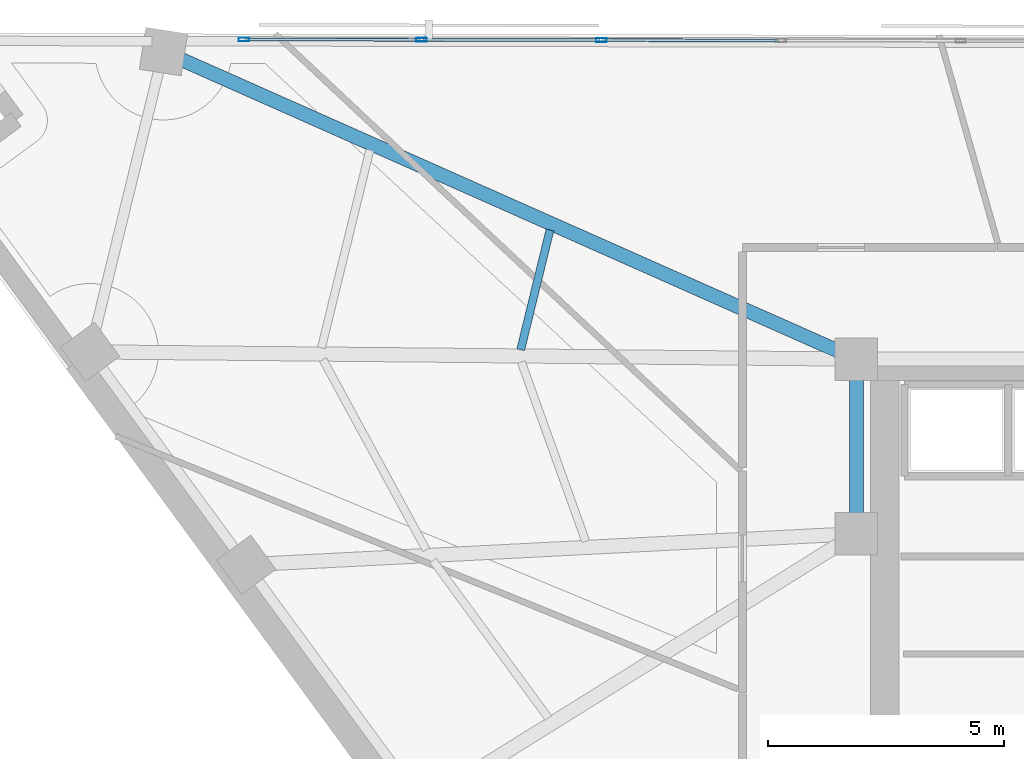
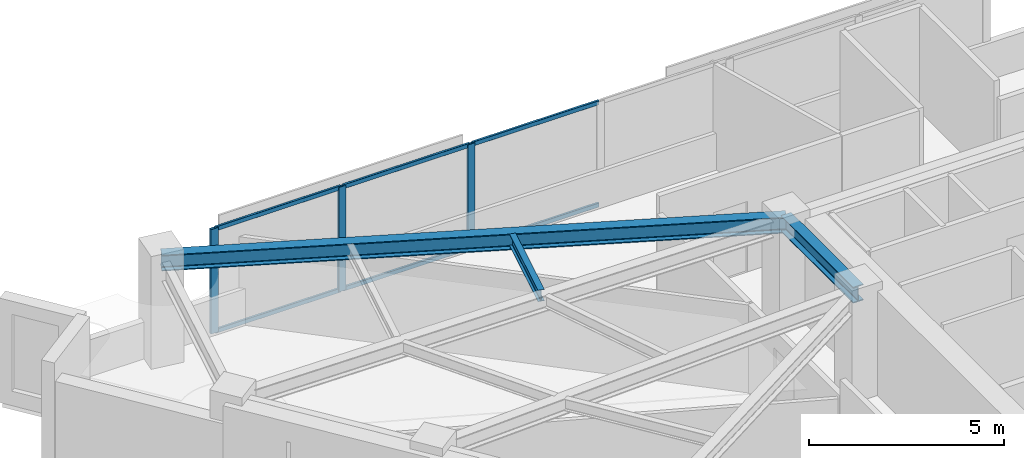
# One storey, part 2 of 13: 9 members, 3 beams, 1 element without a shape of its own.
"""IFC4 building model written with IfcOpenShell, lengths in metres."""

from ifc_helpers import new_model, si_unit, direction, frame, origin, origin_2d, place, context, subcontext, project, spatial, hollow_rectangle, i_section, extrude, material, material_profile, profile_set, type_object, element, aggregate, save


model = new_model("IFC4")

# Units and contexts
model_context = context("Model", 3, precision=1e-05, world=origin(), true_north=direction((0.0, 1.0)))
body_context = subcontext(model_context, "Body", "Model", "MODEL_VIEW")
ifc_project = project(units=[si_unit("LENGTHUNIT", "METRE"), si_unit("AREAUNIT", "SQUARE_METRE"), si_unit("VOLUMEUNIT", "CUBIC_METRE"), si_unit("PLANEANGLEUNIT", "RADIAN"), si_unit("MASSUNIT", "GRAM", prefix="KILO")], contexts=[model_context])

# Site, building, storey
site_placement = place(None, origin())
site = spatial("IfcSite", under=ifc_project, at=site_placement, CompositionType="ELEMENT")
building_placement = place(site_placement, origin())
building = spatial("IfcBuilding", under=site, at=building_placement, Name="Narakoshi Arena Tower", CompositionType="ELEMENT")
storey_placement = place(building_placement, frame((0.0, 0.0, 246.659912109375)))
storey = spatial("IfcBuildingStorey", under=building, at=storey_placement, Name="L67", CompositionType="ELEMENT", Elevation=246.659912109375)

# Beams
ifc_material_1 = material(Name="Structural steel S355J2", Category="steel")
ifc_material_profile_1 = material_profile(ifc_material_1, i_section(OverallWidth=0.300048828125, OverallDepth=0.5, WebThickness=0.014404296875, FlangeThickness=0.028076171875, FilletRadius=0.027099609375, at=origin_2d()), Name="HE500B")
ifc_profile_set_1 = profile_set([ifc_material_profile_1], Name="Structural steel S355J2")
beam_type_1 = type_object("IfcBeamType", Name="BM-PRI-500", PredefinedType="BEAM", material=ifc_profile_set_1)
beam_1_placement = place(storey_placement, frame((72.0, 56.5, 3.010009765625), z_axis=(-0.914014379094, 0.405681790089, 0.0), x_axis=(-0.405681790089, -0.914014379094, 0.0)))
element("IfcBeam", 1, at=beam_1_placement, inside=storey, type_object=beam_type_1, Name="L67 Radial Primary Floor Girder 08", PredefinedType="BEAM", context=body_context, shape_type="SweptSolid", body=[
    extrude(i_section(OverallWidth=0.300048828125, OverallDepth=0.5, WebThickness=0.014404296875, FlangeThickness=0.028076171875, FilletRadius=0.027099609375, at=origin_2d()), origin(), (0.0, 0.0, 1.0), 16.072998046875),
])
beam_2_placement = place(storey_placement, frame((72.0, 52.800048828125, 3.010009765625), z_axis=(0.0, 1.0, 0.0), x_axis=(-1.0, 0.0, 0.0)))
element("IfcBeam", 2, at=beam_2_placement, inside=storey, type_object=beam_type_1, Name="L67 Core Perimeter Frame Beam CC4-CC5", PredefinedType="BEAM", context=body_context, shape_type="SweptSolid", body=[
    extrude(i_section(OverallWidth=0.300048828125, OverallDepth=0.5, WebThickness=0.014404296875, FlangeThickness=0.028076171875, FilletRadius=0.027099609375, at=origin_2d()), origin(), (0.0, 0.0, 1.0), 3.699951171875),
])
ifc_material_profile_2 = material_profile(ifc_material_1, i_section(OverallWidth=0.169921875, OverallDepth=0.360107421875, WebThickness=0.008056640625, FlangeThickness=0.0126953125, FilletRadius=0.01806640625, at=origin_2d()), Name="IPE360")
ifc_profile_set_2 = profile_set([ifc_material_profile_2], Name="Structural steel S355J2")
beam_type_2 = type_object("IfcBeamType", Name="BM-SEC-360", PredefinedType="JOIST", material=ifc_profile_set_2)
beam_3_placement = place(storey_placement, frame((65.50390625, 59.23779296875, 3.080078125), z_axis=(-0.237388442465, -0.971414807064, 0.0), x_axis=(0.971414807064, -0.237388442465, 0.0)))
element("IfcBeam", 3, at=beam_3_placement, inside=storey, type_object=beam_type_2, Name="L67 Composite Secondary Floor Joist 07", PredefinedType="JOIST", context=body_context, shape_type="SweptSolid", body=[
    extrude(i_section(OverallWidth=0.169921875, OverallDepth=0.360107421875, WebThickness=0.008056640625, FlangeThickness=0.0126953125, FilletRadius=0.01806640625, at=origin_2d()), origin(), (0.0, 0.0, 1.0), 2.61328125),
])

# Curtain wall, members
ifc_material_2 = material(Name="Anodised bronze aluminium 6063-T6", Category="aluminium")
curtain_wall_type = type_object("IfcCurtainWallType", Name="CW-HYP-HIGH", PredefinedType="NOTDEFINED", material=ifc_material_2)
curtain_wall_placement = place(storey_placement, origin())
curtain_wall = element("IfcCurtainWall", 4, at=curtain_wall_placement, inside=storey, type_object=curtain_wall_type, Name="L67 Folded Hypotenuse Curtain Wall 2-1", PredefinedType="NOTDEFINED")
ifc_material_profile_3 = material_profile(ifc_material_2, hollow_rectangle(XDim=0.080078125, YDim=0.219970703125, WallThickness=0.0048828125, OuterFilletRadius=0.006103515625, at=origin_2d()), Name="MUL220x80x5")
ifc_profile_set_3 = profile_set([ifc_material_profile_3], Name="Anodised bronze aluminium 6063-T6")
member_type_1 = type_object("IfcMemberType", Name="MEM-MUL-220", PredefinedType="MULLION", material=ifc_profile_set_3)
member_1_placement = place(storey_placement, frame((66.59326171875, 63.263671875, 0.0), z_axis=(0.0, 0.0, 1.0), x_axis=(-0.001819896899, -0.999998343986, 0.0)))
member_1 = element("IfcMember", 5, at=member_1_placement, type_object=member_type_1, Name="CW-03 mullion 5", PredefinedType="MULLION", context=body_context, shape_type="SweptSolid", body=[
    extrude(hollow_rectangle(XDim=0.080078125, YDim=0.219970703125, WallThickness=0.0048828125, OuterFilletRadius=0.006103515625, at=origin_2d()), origin(), (0.0, 0.0, 1.0), 3.260009765625),
])
member_2_placement = place(storey_placement, frame((62.78369140625, 63.270751953125, 0.0), z_axis=(0.0, 0.0, 1.0), x_axis=(-0.001819896899, -0.999998343986, 0.0)))
member_2 = element("IfcMember", 6, at=member_2_placement, type_object=member_type_1, Name="CW-03 mullion 6", PredefinedType="MULLION", context=body_context, shape_type="SweptSolid", body=[
    extrude(hollow_rectangle(XDim=0.080078125, YDim=0.219970703125, WallThickness=0.0048828125, OuterFilletRadius=0.006103515625, at=origin_2d()), origin(), (0.0, 0.0, 1.0), 3.260009765625),
])
member_3_placement = place(storey_placement, frame((59.013916015625, 63.277587890625, 0.0), z_axis=(0.0, 0.0, 1.0), x_axis=(-0.001819896899, -0.999998343986, 0.0)))
member_3 = element("IfcMember", 7, at=member_3_placement, type_object=member_type_1, Name="CW-03 mullion 7", PredefinedType="MULLION", context=body_context, shape_type="SweptSolid", body=[
    extrude(hollow_rectangle(XDim=0.080078125, YDim=0.219970703125, WallThickness=0.0048828125, OuterFilletRadius=0.006103515625, at=origin_2d()), origin(), (0.0, 0.0, 1.0), 3.260009765625),
])
ifc_material_profile_4 = material_profile(ifc_material_2, hollow_rectangle(XDim=0.06494140625, YDim=0.1298828125, WallThickness=0.00390625, OuterFilletRadius=0.0048828125, at=origin_2d()), Name="TRN130x65x4")
ifc_profile_set_4 = profile_set([ifc_material_profile_4], Name="Anodised bronze aluminium 6063-T6")
member_type_2 = type_object("IfcMemberType", Name="MEM-TRN-130", PredefinedType="USERDEFINED", material=ifc_profile_set_4)
member_4_placement = place(storey_placement, frame((70.363037109375, 63.2568359375, 0.032470703125), z_axis=(-0.999998320389, 0.001832817502, 0.0), x_axis=(-0.001832817502, -0.999998320389, 0.0)))
member_4 = element("IfcMember", 8, at=member_4_placement, type_object=member_type_2, Name="CW-03 transom 4.1", ObjectType="TRANSOM", PredefinedType="USERDEFINED", context=body_context, shape_type="SweptSolid", body=[
    extrude(hollow_rectangle(XDim=0.06494140625, YDim=0.1298828125, WallThickness=0.00390625, OuterFilletRadius=0.0048828125, at=origin_2d()), origin(), (0.0, 0.0, 1.0), 3.729736328125),
])
member_5_placement = place(storey_placement, frame((70.363037109375, 63.2568359375, 3.2275390625), z_axis=(-0.999998320389, 0.001832817502, 0.0), x_axis=(-0.001832817502, -0.999998320389, 0.0)))
member_5 = element("IfcMember", 9, at=member_5_placement, type_object=member_type_2, Name="CW-03 transom 4.2", ObjectType="TRANSOM", PredefinedType="USERDEFINED", context=body_context, shape_type="SweptSolid", body=[
    extrude(hollow_rectangle(XDim=0.06494140625, YDim=0.1298828125, WallThickness=0.00390625, OuterFilletRadius=0.0048828125, at=origin_2d()), origin(), (0.0, 0.0, 1.0), 3.729736328125),
])
member_6_placement = place(storey_placement, frame((66.553466796875, 63.263916015625, 0.032470703125), z_axis=(-0.999998438218, 0.001767359942, 0.0), x_axis=(-0.001767359942, -0.999998438218, 0.0)))
member_6 = element("IfcMember", 10, at=member_6_placement, type_object=member_type_2, Name="CW-03 transom 5.1", ObjectType="TRANSOM", PredefinedType="USERDEFINED", context=body_context, shape_type="SweptSolid", body=[
    extrude(hollow_rectangle(XDim=0.06494140625, YDim=0.1298828125, WallThickness=0.00390625, OuterFilletRadius=0.0048828125, at=origin_2d()), origin(), (0.0, 0.0, 1.0), 3.729736328125),
])
member_7_placement = place(storey_placement, frame((66.553466796875, 63.263916015625, 3.2275390625), z_axis=(-0.999998438218, 0.001767359942, 0.0), x_axis=(-0.001767359942, -0.999998438218, 0.0)))
member_7 = element("IfcMember", 11, at=member_7_placement, type_object=member_type_2, Name="CW-03 transom 5.2", ObjectType="TRANSOM", PredefinedType="USERDEFINED", context=body_context, shape_type="SweptSolid", body=[
    extrude(hollow_rectangle(XDim=0.06494140625, YDim=0.1298828125, WallThickness=0.00390625, OuterFilletRadius=0.0048828125, at=origin_2d()), origin(), (0.0, 0.0, 1.0), 3.729736328125),
])
member_8_placement = place(storey_placement, frame((62.74365234375, 63.270751953125, 0.032470703125), z_axis=(-0.999998404139, 0.001786538537, 0.0), x_axis=(-0.001786538537, -0.999998404139, 0.0)))
member_8 = element("IfcMember", 12, at=member_8_placement, type_object=member_type_2, Name="CW-03 transom 6.1", ObjectType="TRANSOM", PredefinedType="USERDEFINED", context=body_context, shape_type="SweptSolid", body=[
    extrude(hollow_rectangle(XDim=0.06494140625, YDim=0.1298828125, WallThickness=0.00390625, OuterFilletRadius=0.0048828125, at=origin_2d()), origin(), (0.0, 0.0, 1.0), 3.689697265625),
])
member_9_placement = place(storey_placement, frame((62.74365234375, 63.270751953125, 3.2275390625), z_axis=(-0.999998404139, 0.001786538537, 0.0), x_axis=(-0.001786538537, -0.999998404139, 0.0)))
member_9 = element("IfcMember", 13, at=member_9_placement, type_object=member_type_2, Name="CW-03 transom 6.2", ObjectType="TRANSOM", PredefinedType="USERDEFINED", context=body_context, shape_type="SweptSolid", body=[
    extrude(hollow_rectangle(XDim=0.06494140625, YDim=0.1298828125, WallThickness=0.00390625, OuterFilletRadius=0.0048828125, at=origin_2d()), origin(), (0.0, 0.0, 1.0), 3.689697265625),
])
aggregate(curtain_wall, [member_1, member_2, member_3, member_4, member_5, member_6, member_7, member_8, member_9])

save(model, "model.ifc")
